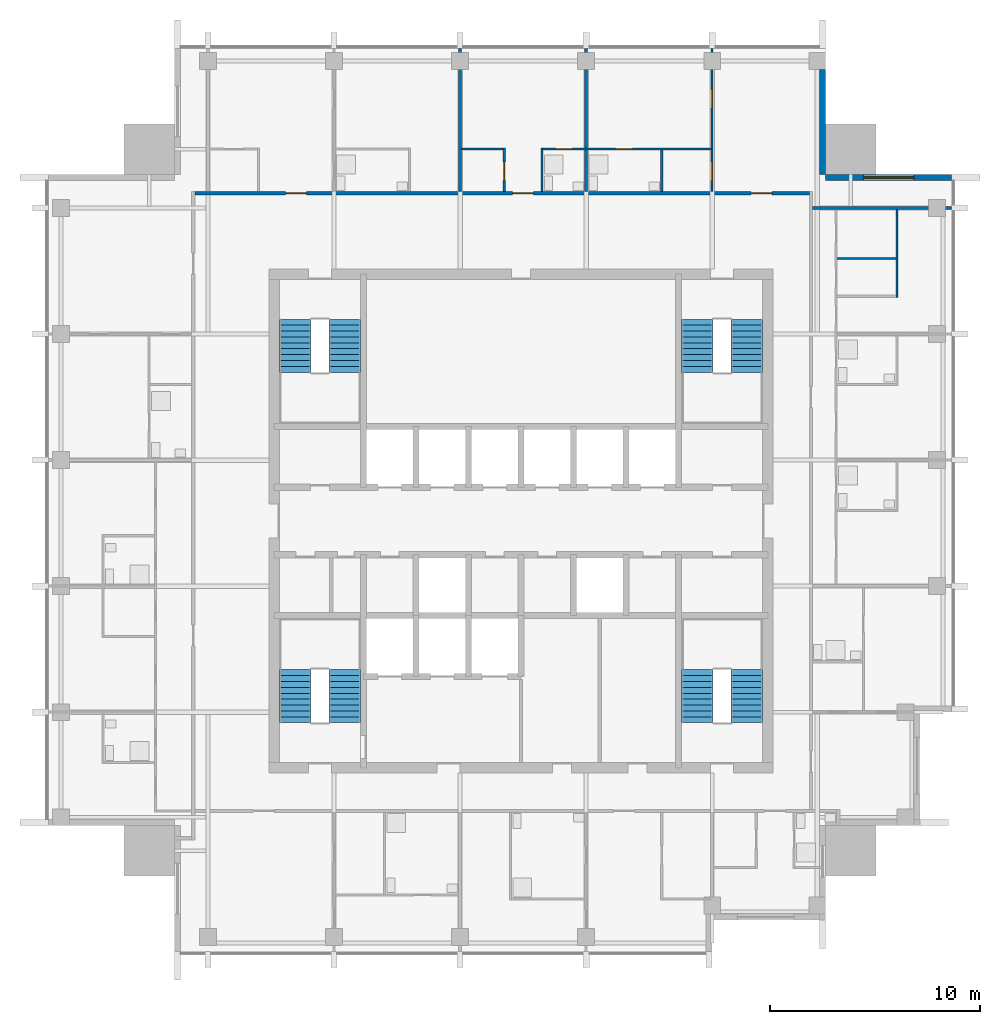
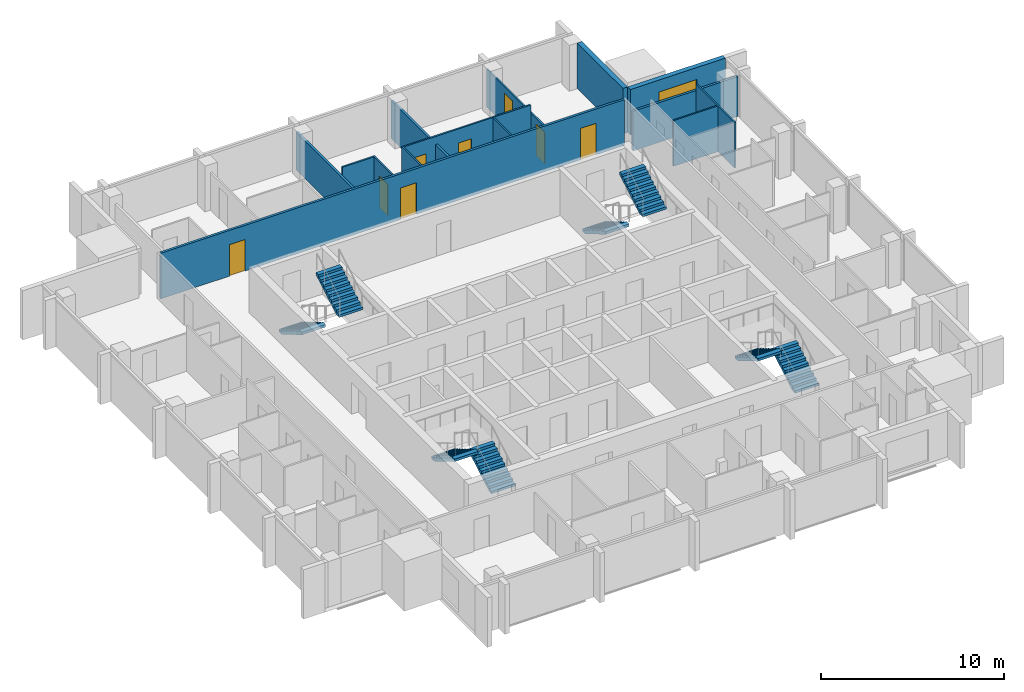
# One storey, part 7 of 9: 14 walls, 8 doors, 8 stair flights, 1 window, 9 openings, 4 elements without a shape of their own.
"""IFC4 building model written with IfcOpenShell, lengths in metres."""

from ifc_helpers import new_model, si_unit, direction, frame, frame_2d, origin, place, context, subcontext, project, spatial, polyline, rectangle, outline, extrude, material, layer, layer_set, type_object, element, fill, aggregate, save


model = new_model("IFC4")

# Units and contexts
model_context = context("Model", 3, precision=1e-05, world=origin(), true_north=direction((0.0, 1.0)))
body_context = subcontext(model_context, "Body", "Model", "MODEL_VIEW")
ifc_project = project(units=[si_unit("LENGTHUNIT", "METRE"), si_unit("AREAUNIT", "SQUARE_METRE"), si_unit("VOLUMEUNIT", "CUBIC_METRE"), si_unit("PLANEANGLEUNIT", "RADIAN"), si_unit("MASSUNIT", "GRAM", prefix="KILO")], contexts=[model_context])

# Site, building, storey
site_placement = place(None, origin())
site = spatial("IfcSite", under=ifc_project, at=site_placement, CompositionType="ELEMENT")
building_placement = place(site_placement, origin())
building = spatial("IfcBuilding", under=site, at=building_placement, Name="Amberfall Residences", CompositionType="ELEMENT")
storey_placement = place(building_placement, frame((0.0, 0.0, 262.0)))
storey = spatial("IfcBuildingStorey", under=building, at=storey_placement, Name="L70", CompositionType="ELEMENT", Elevation=262.0)

# Wall, opening, window
ifc_material_1 = material(Name="Pale stone cladding on insulated backing", Category="masonry")
ifc_layer_1 = layer(ifc_material_1, 0.300048828125)
ifc_layer_set_1 = layer_set([ifc_layer_1], Name="Bronze clad wall 300")
wall_type_1 = type_object("IfcWallType", Name="Bronze clad wall 300", PredefinedType="SOLIDWALL", material=ifc_layer_set_1)
wall_1_placement = place(storey_placement, frame((95.0, 61.85009765625, 0.0), z_axis=(0.0, 0.0, 1.0), x_axis=(-1.0, 0.0, 0.0)))
wall_1 = element("IfcWall", 1, at=wall_1_placement, inside=storey, type_object=wall_type_1, Name="External wall L70 NE", PredefinedType="SOLIDWALL", context=body_context, shape_type="SweptSolid", body=[
    extrude(rectangle(XDim=6.0, YDim=0.300048828125, at=frame_2d((3.0, 0.0))), origin(), (0.0, 0.0, 1.0), 3.050048828125),
])
opening_1_placement = place(wall_1_placement, frame((1.800048828125, 0.0, 0.14990234375)))
opening_1 = element("IfcOpeningElement", 2, at=opening_1_placement, cuts=wall_1, Name="Opening WN5", PredefinedType="OPENING", context=body_context, shape_type="SweptSolid", body=[
    extrude(rectangle(XDim=2.39990234375, YDim=2.10009765625, at=frame_2d((1.199951171875, 1.050048828125))), frame((0.0, 0.159912109375, 0.0), z_axis=(0.0, -1.0, 0.0), x_axis=(1.0, 0.0, 0.0)), (0.0, 0.0, 1.0), 0.320068359375),
])
ifc_material_2 = material(Name="Bronze aluminium framed glazing", Category="aluminium")
window_type = type_object("IfcWindowType", Name="Glazed opening 2400 x 2100 bronze", PartitioningType="DOUBLE_PANEL_VERTICAL", PredefinedType="WINDOW", material=ifc_material_2)
window_placement = place(opening_1_placement, origin())
window = element("IfcWindow", 3, at=window_placement, inside=storey, type_object=window_type, Name="Window L70 NE", OverallHeight=2.10009765625, OverallWidth=2.39990234375, PartitioningType="DOUBLE_PANEL_VERTICAL", PredefinedType="WINDOW", context=body_context, shape_type="SweptSolid", body=[
    extrude(rectangle(XDim=2.39990234375, YDim=2.10009765625, at=frame_2d((1.199951171875, 1.050048828125))), frame((0.0, 0.030029296875, 0.0), z_axis=(0.0, -1.0, 0.0), x_axis=(1.0, 0.0, 0.0)), (0.0, 0.0, 1.0), 0.06005859375),
])
fill(opening_1, window)

# Wall
wall_2_placement = place(storey_placement, frame((88.85009765625, 62.0, 0.0), z_axis=(0.0, 0.0, 1.0), x_axis=(0.0, 1.0, 0.0)))
element("IfcWall", 4, at=wall_2_placement, inside=storey, type_object=wall_type_1, Name="External wall L70 NE", PredefinedType="SOLIDWALL", context=body_context, shape_type="SweptSolid", body=[
    extrude(rectangle(XDim=5.0, YDim=0.300048828125, at=frame_2d((2.5, 0.0))), origin(), (0.0, 0.0, 1.0), 3.050048828125),
])

# Wall, opening, door
ifc_material_3 = material(Name="Gypsum board on metal stud")
ifc_layer_2 = layer(ifc_material_3, 0.10009765625)
ifc_layer_set_2 = layer_set([ifc_layer_2], Name="Flat partition 100")
wall_type_2 = type_object("IfcWallType", Name="Flat partition 100", PredefinedType="PARTITIONING", material=ifc_layer_set_2)
wall_3_placement = place(storey_placement, frame((73.699951171875, 61.175048828125, 0.0), z_axis=(0.0, 0.0, 1.0), x_axis=(0.0, 1.0, 0.0)))
wall_3 = element("IfcWall", 5, at=wall_3_placement, inside=storey, type_object=wall_type_2, Name="Partition 010", PredefinedType="PARTITIONING", context=body_context, shape_type="SweptSolid", body=[
    extrude(rectangle(XDim=2.074951171875, YDim=0.10009765625, at=frame_2d((1.03759765625, 0.0))), origin(), (0.0, 0.0, 1.0), 3.050048828125),
])
opening_2_placement = place(wall_3_placement, frame((0.52490234375, 0.0, 0.0)))
opening_2 = element("IfcOpeningElement", 6, at=opening_2_placement, cuts=wall_3, Name="Opening D41", PredefinedType="OPENING", context=body_context, shape_type="SweptSolid", body=[
    extrude(rectangle(XDim=0.89990234375, YDim=2.10009765625, at=frame_2d((0.449951171875, 1.050048828125))), frame((0.0, 0.06005859375, 0.0), z_axis=(0.0, -1.0, 0.0), x_axis=(1.0, 0.0, 0.0)), (0.0, 0.0, 1.0), 0.1201171875),
])
ifc_material_4 = material(Name="Timber", Category="wood")
door_type_1 = type_object("IfcDoorType", Name="Internal door 900 x 2100", OperationType="SINGLE_SWING_LEFT", PredefinedType="DOOR", material=ifc_material_4)
door_1_placement = place(opening_2_placement, origin())
door_1 = element("IfcDoor", 7, at=door_1_placement, inside=storey, type_object=door_type_1, Name="Door 7007 kitchen", OperationType="SINGLE_SWING_LEFT", OverallHeight=2.10009765625, OverallWidth=0.89990234375, PredefinedType="DOOR", context=body_context, shape_type="SweptSolid", body=[
    extrude(rectangle(XDim=0.89990234375, YDim=2.10009765625, at=frame_2d((0.449951171875, 1.050048828125))), frame((0.0, 0.02490234375, 0.0), z_axis=(0.0, -1.0, 0.0), x_axis=(1.0, 0.0, 0.0)), (0.0, 0.0, 1.0), 0.050048828125),
])
fill(opening_2, door_1)

# Walls
wall_4_placement = place(storey_placement, frame((75.5, 61.175048828125, 0.0), z_axis=(0.0, 0.0, 1.0), x_axis=(0.0, 1.0, 0.0)))
element("IfcWall", 8, at=wall_4_placement, inside=storey, type_object=wall_type_2, Name="Partition 012", PredefinedType="PARTITIONING", context=body_context, shape_type="SweptSolid", body=[
    extrude(rectangle(XDim=2.074951171875, YDim=0.10009765625, at=frame_2d((1.03759765625, 0.0))), origin(), (0.0, 0.0, 1.0), 3.050048828125),
])
wall_5_placement = place(storey_placement, frame((81.199951171875, 61.175048828125, 0.0), z_axis=(0.0, 0.0, 1.0), x_axis=(0.0, 1.0, 0.0)))
element("IfcWall", 9, at=wall_5_placement, inside=storey, type_object=wall_type_2, Name="Partition 015", PredefinedType="PARTITIONING", context=body_context, shape_type="SweptSolid", body=[
    extrude(rectangle(XDim=1.974853515625, YDim=0.10009765625, at=frame_2d((0.9873046875, 0.0))), origin(), (0.0, 0.0, 1.0), 3.050048828125),
])

# Wall, openings, doors
wall_6_placement = place(storey_placement, frame((83.60009765625, 61.175048828125, 0.0), z_axis=(0.0, 0.0, 1.0), x_axis=(0.0, 1.0, 0.0)))
wall_6 = element("IfcWall", 10, at=wall_6_placement, inside=storey, type_object=wall_type_2, Name="Partition 016", PredefinedType="PARTITIONING", context=body_context, shape_type="SweptSolid", body=[
    extrude(rectangle(XDim=6.824951171875, YDim=0.10009765625, at=frame_2d((3.41259765625, 0.0))), origin(), (0.0, 0.0, 1.0), 2.51611328125),
])
opening_3_placement = place(wall_6_placement, frame((0.52490234375, 0.0, 0.0)))
opening_3 = element("IfcOpeningElement", 11, at=opening_3_placement, cuts=wall_6, Name="Opening D41", PredefinedType="OPENING", context=body_context, shape_type="SweptSolid", body=[
    extrude(rectangle(XDim=0.89990234375, YDim=2.10009765625, at=frame_2d((0.449951171875, 1.050048828125))), frame((0.0, 0.06005859375, 0.0), z_axis=(0.0, -1.0, 0.0), x_axis=(1.0, 0.0, 0.0)), (0.0, 0.0, 1.0), 0.1201171875),
])
opening_4_placement = place(wall_6_placement, frame((3.97509765625, 0.0, 0.0)))
opening_4 = element("IfcOpeningElement", 12, at=opening_4_placement, cuts=wall_6, Name="Opening D41", PredefinedType="OPENING", context=body_context, shape_type="SweptSolid", body=[
    extrude(rectangle(XDim=0.89990234375, YDim=2.10009765625, at=frame_2d((0.449951171875, 1.050048828125))), frame((0.0, 0.06005859375, 0.0), z_axis=(0.0, -1.0, 0.0), x_axis=(1.0, 0.0, 0.0)), (0.0, 0.0, 1.0), 0.1201171875),
])
door_2_placement = place(opening_3_placement, origin())
door_2 = element("IfcDoor", 13, at=door_2_placement, inside=storey, type_object=door_type_1, Name="Door 7008 kitchen", OperationType="SINGLE_SWING_LEFT", OverallHeight=2.10009765625, OverallWidth=0.89990234375, PredefinedType="DOOR", context=body_context, shape_type="SweptSolid", body=[
    extrude(rectangle(XDim=0.89990234375, YDim=2.10009765625, at=frame_2d((0.449951171875, 1.050048828125))), frame((0.0, 0.02490234375, 0.0), z_axis=(0.0, -1.0, 0.0), x_axis=(1.0, 0.0, 0.0)), (0.0, 0.0, 1.0), 0.050048828125),
])
fill(opening_3, door_2)
door_3_placement = place(opening_4_placement, origin())
door_3 = element("IfcDoor", 14, at=door_3_placement, inside=storey, type_object=door_type_1, Name="Door 7008 bedroom1", OperationType="SINGLE_SWING_LEFT", OverallHeight=2.10009765625, OverallWidth=0.89990234375, PredefinedType="DOOR", context=body_context, shape_type="SweptSolid", body=[
    extrude(rectangle(XDim=0.89990234375, YDim=2.10009765625, at=frame_2d((0.449951171875, 1.050048828125))), frame((0.0, 0.02490234375, 0.0), z_axis=(0.0, -1.0, 0.0), x_axis=(1.0, 0.0, 0.0)), (0.0, 0.0, 1.0), 0.050048828125),
])
fill(opening_4, door_3)

# Walls
wall_7_placement = place(storey_placement, frame((92.39990234375, 56.14990234375, 0.0), z_axis=(0.0, 0.0, 1.0), x_axis=(0.0, 1.0, 0.0)))
element("IfcWall", 15, at=wall_7_placement, inside=storey, type_object=wall_type_2, Name="Partition 023", PredefinedType="PARTITIONING", context=body_context, shape_type="SweptSolid", body=[
    extrude(rectangle(XDim=4.175048828125, YDim=0.10009765625, at=frame_2d((2.08740234375, 0.0))), origin(), (0.0, 0.0, 1.0), 3.050048828125),
])
wall_8_placement = place(storey_placement, frame((71.675048828125, 63.199951171875, 0.0), z_axis=(0.0, 0.0, 1.0), x_axis=(1.0, 0.0, 0.0)))
element("IfcWall", 16, at=wall_8_placement, inside=storey, type_object=wall_type_2, Name="Partition 026", PredefinedType="PARTITIONING", context=body_context, shape_type="SweptSolid", body=[
    extrude(rectangle(XDim=1.974853515625, YDim=0.10009765625, at=frame_2d((0.9873046875, 0.0))), origin(), (0.0, 0.0, 1.0), 3.050048828125),
])

# Wall, openings, doors
wall_9_placement = place(storey_placement, frame((83.550048828125, 63.199951171875, 0.0), z_axis=(0.0, 0.0, 1.0), x_axis=(-1.0, 0.0, 0.0)))
wall_9 = element("IfcWall", 17, at=wall_9_placement, inside=storey, type_object=wall_type_2, Name="Partition 027", PredefinedType="PARTITIONING", context=body_context, shape_type="SweptSolid", body=[
    extrude(rectangle(XDim=8.0, YDim=0.10009765625, at=frame_2d((4.0, 0.0))), origin(), (0.0, 0.0, 1.0), 3.050048828125),
])
opening_5_placement = place(wall_9_placement, frame((6.60009765625, 0.0, 0.0)))
opening_5 = element("IfcOpeningElement", 18, at=opening_5_placement, cuts=wall_9, Name="Opening D42", PredefinedType="OPENING", context=body_context, shape_type="SweptSolid", body=[
    extrude(rectangle(XDim=0.800048828125, YDim=2.10009765625, at=frame_2d((0.39990234375, 1.050048828125))), frame((0.0, 0.06005859375, 0.0), z_axis=(0.0, -1.0, 0.0), x_axis=(1.0, 0.0, 0.0)), (0.0, 0.0, 1.0), 0.1201171875),
])
opening_6_placement = place(wall_9_placement, frame((3.75, 0.0, 0.0)))
opening_6 = element("IfcOpeningElement", 19, at=opening_6_placement, cuts=wall_9, Name="Opening D42", PredefinedType="OPENING", context=body_context, shape_type="SweptSolid", body=[
    extrude(rectangle(XDim=0.800048828125, YDim=2.10009765625, at=frame_2d((0.39990234375, 1.050048828125))), frame((0.0, 0.06005859375, 0.0), z_axis=(0.0, -1.0, 0.0), x_axis=(1.0, 0.0, 0.0)), (0.0, 0.0, 1.0), 0.1201171875),
])
door_type_2 = type_object("IfcDoorType", Name="Bathroom door 800 x 2100", OperationType="SINGLE_SWING_LEFT", PredefinedType="DOOR", material=ifc_material_4)
door_4_placement = place(opening_5_placement, origin())
door_4 = element("IfcDoor", 20, at=door_4_placement, inside=storey, type_object=door_type_2, Name="Door 7007 bath1", OperationType="SINGLE_SWING_LEFT", OverallHeight=2.10009765625, OverallWidth=0.800048828125, PredefinedType="DOOR", context=body_context, shape_type="SweptSolid", body=[
    extrude(rectangle(XDim=0.800048828125, YDim=2.10009765625, at=frame_2d((0.39990234375, 1.050048828125))), frame((0.0, 0.02490234375, 0.0), z_axis=(0.0, -1.0, 0.0), x_axis=(1.0, 0.0, 0.0)), (0.0, 0.0, 1.0), 0.050048828125),
])
fill(opening_5, door_4)
door_5_placement = place(opening_6_placement, origin())
door_5 = element("IfcDoor", 21, at=door_5_placement, inside=storey, type_object=door_type_2, Name="Door 7008 bath1", OperationType="SINGLE_SWING_LEFT", OverallHeight=2.10009765625, OverallWidth=0.800048828125, PredefinedType="DOOR", context=body_context, shape_type="SweptSolid", body=[
    extrude(rectangle(XDim=0.800048828125, YDim=2.10009765625, at=frame_2d((0.39990234375, 1.050048828125))), frame((0.0, 0.02490234375, 0.0), z_axis=(0.0, -1.0, 0.0), x_axis=(1.0, 0.0, 0.0)), (0.0, 0.0, 1.0), 0.050048828125),
])
fill(opening_6, door_5)

# Walls
wall_10_placement = place(storey_placement, frame((89.550048828125, 58.0, 0.0), z_axis=(0.0, 0.0, 1.0), x_axis=(1.0, 0.0, 0.0)))
element("IfcWall", 22, at=wall_10_placement, inside=storey, type_object=wall_type_2, Name="Partition 028", PredefinedType="PARTITIONING", context=body_context, shape_type="SweptSolid", body=[
    extrude(rectangle(XDim=2.800048828125, YDim=0.10009765625, at=frame_2d((1.39990234375, 0.0))), origin(), (0.0, 0.0, 1.0), 3.050048828125),
])
ifc_material_5 = material(Name="Blockwork, plastered", Category="masonry")
ifc_layer_3 = layer(ifc_material_5, 0.14990234375)
ifc_layer_set_3 = layer_set([ifc_layer_3], Name="Flat separating wall 150")
wall_type_3 = type_object("IfcWallType", Name="Flat separating wall 150", PredefinedType="PARTITIONING", material=ifc_layer_set_3)
for number, where, z_axis, x_axis, name in (
    (23, (71.60009765625, 61.175048828125, 0.0), (0.0, 0.0, 1.0), (0.0, 1.0, 0.0), "Separating wall 052"),
    (24, (77.60009765625, 61.175048828125, 0.0), (0.0, 0.0, 1.0), (0.0, 1.0, 0.0), "Separating wall 053"),
):
    element("IfcWall", number, at=place(storey_placement, frame(where, z_axis=z_axis, x_axis=x_axis)), inside=storey, type_object=wall_type_3, Name=name, PredefinedType="PARTITIONING", context=body_context, shape_type="SweptSolid", body=[
        extrude(rectangle(XDim=6.824951171875, YDim=0.14990234375, at=frame_2d((3.41259765625, 0.0))), origin(), (0.0, 0.0, 1.0), 2.51611328125),
    ])

# Wall, openings, doors
wall_11_placement = place(storey_placement, frame((58.97509765625, 61.10009765625, 0.0), z_axis=(0.0, 0.0, 1.0), x_axis=(1.0, 0.0, 0.0)))
wall_11 = element("IfcWall", 25, at=wall_11_placement, inside=storey, type_object=wall_type_3, Name="Separating wall 057", PredefinedType="PARTITIONING", context=body_context, shape_type="SweptSolid", body=[
    extrude(rectangle(XDim=29.25, YDim=0.14990234375, at=frame_2d((14.625, 0.0))), origin(), (0.0, 0.0, 1.0), 3.050048828125),
])
opening_7_placement = place(wall_11_placement, frame((4.324951171875, 0.0, 0.0)))
opening_7 = element("IfcOpeningElement", 26, at=opening_7_placement, cuts=wall_11, Name="Opening D40", PredefinedType="OPENING", context=body_context, shape_type="SweptSolid", body=[
    extrude(rectangle(XDim=1.0, YDim=2.10009765625, at=frame_2d((0.5, 1.050048828125))), frame((0.0, 0.0849609375, 0.0), z_axis=(0.0, -1.0, 0.0), x_axis=(1.0, 0.0, 0.0)), (0.0, 0.0, 1.0), 0.169921875),
])
opening_8_placement = place(wall_11_placement, frame((15.125, 0.0, 0.0)))
opening_8 = element("IfcOpeningElement", 27, at=opening_8_placement, cuts=wall_11, Name="Opening D40", PredefinedType="OPENING", context=body_context, shape_type="SweptSolid", body=[
    extrude(rectangle(XDim=1.0, YDim=2.10009765625, at=frame_2d((0.5, 1.050048828125))), frame((0.0, 0.0849609375, 0.0), z_axis=(0.0, -1.0, 0.0), x_axis=(1.0, 0.0, 0.0)), (0.0, 0.0, 1.0), 0.169921875),
])
opening_9_placement = place(wall_11_placement, frame((26.47509765625, 0.0, 0.0)))
opening_9 = element("IfcOpeningElement", 28, at=opening_9_placement, cuts=wall_11, Name="Opening D40", PredefinedType="OPENING", context=body_context, shape_type="SweptSolid", body=[
    extrude(rectangle(XDim=1.0, YDim=2.10009765625, at=frame_2d((0.5, 1.050048828125))), frame((0.0, 0.0849609375, 0.0), z_axis=(0.0, -1.0, 0.0), x_axis=(1.0, 0.0, 0.0)), (0.0, 0.0, 1.0), 0.169921875),
])
ifc_material_6 = material(Name="Timber, fire-rated", Category="wood")
door_type_3 = type_object("IfcDoorType", Name="Flat entrance door FD60 1000 x 2100", OperationType="SINGLE_SWING_LEFT", PredefinedType="DOOR", material=ifc_material_6)
door_6_placement = place(opening_7_placement, origin())
door_6 = element("IfcDoor", 29, at=door_6_placement, inside=storey, type_object=door_type_3, Name="Door 7006 entrance", OperationType="SINGLE_SWING_LEFT", OverallHeight=2.10009765625, OverallWidth=1.0, PredefinedType="DOOR", context=body_context, shape_type="SweptSolid", body=[
    extrude(rectangle(XDim=1.0, YDim=2.10009765625, at=frame_2d((0.5, 1.050048828125))), frame((0.0, 0.02490234375, 0.0), z_axis=(0.0, -1.0, 0.0), x_axis=(1.0, 0.0, 0.0)), (0.0, 0.0, 1.0), 0.050048828125),
])
fill(opening_7, door_6)
door_7_placement = place(opening_8_placement, origin())
door_7 = element("IfcDoor", 30, at=door_7_placement, inside=storey, type_object=door_type_3, Name="Door 7007 entrance", OperationType="SINGLE_SWING_LEFT", OverallHeight=2.10009765625, OverallWidth=1.0, PredefinedType="DOOR", context=body_context, shape_type="SweptSolid", body=[
    extrude(rectangle(XDim=1.0, YDim=2.10009765625, at=frame_2d((0.5, 1.050048828125))), frame((0.0, 0.02490234375, 0.0), z_axis=(0.0, -1.0, 0.0), x_axis=(1.0, 0.0, 0.0)), (0.0, 0.0, 1.0), 0.050048828125),
])
fill(opening_8, door_7)
door_8_placement = place(opening_9_placement, origin())
door_8 = element("IfcDoor", 31, at=door_8_placement, inside=storey, type_object=door_type_3, Name="Door 7008 entrance", OperationType="SINGLE_SWING_LEFT", OverallHeight=2.10009765625, OverallWidth=1.0, PredefinedType="DOOR", context=body_context, shape_type="SweptSolid", body=[
    extrude(rectangle(XDim=1.0, YDim=2.10009765625, at=frame_2d((0.5, 1.050048828125))), frame((0.0, 0.02490234375, 0.0), z_axis=(0.0, -1.0, 0.0), x_axis=(1.0, 0.0, 0.0)), (0.0, 0.0, 1.0), 0.050048828125),
])
fill(opening_9, door_8)

# Wall
wall_12_placement = place(storey_placement, frame((88.375, 60.39990234375, 0.0), z_axis=(0.0, 0.0, 1.0), x_axis=(1.0, 0.0, 0.0)))
element("IfcWall", 32, at=wall_12_placement, inside=storey, type_object=wall_type_3, Name="Separating wall 058", PredefinedType="PARTITIONING", context=body_context, shape_type="SweptSolid", body=[
    extrude(rectangle(XDim=6.625, YDim=0.14990234375, at=frame_2d((3.3125, 0.0))), origin(), (0.0, 0.0, 1.0), 2.64697265625),
])

# Stair, stair flights
ifc_material_7 = material(Name="Concrete C40", Category="concrete")
stair_type = type_object("IfcStairType", Name="Exit stair 20 risers 165.0 mm", PredefinedType="HALF_TURN_STAIR", material=ifc_material_7)
stair_1_placement = place(storey_placement, origin())
stair_1 = element("IfcStair", 33, at=stair_1_placement, inside=storey, type_object=stair_type, Name="L70 Exit stair 1", PredefinedType="HALF_TURN_STAIR")
stair_flight_type = type_object("IfcStairFlightType", Name="Stair flight 10 risers 165.0 mm", PredefinedType="STRAIGHT", material=ifc_material_7)
stair_flight_1_placement = place(storey_placement, frame((66.10009765625, 35.89990234375, 0.0), z_axis=(0.0, 0.0, 1.0), x_axis=(0.0, 1.0, 0.0)))
stair_flight_1 = element("IfcStairFlight", 34, at=stair_flight_1_placement, type_object=stair_flight_type, Name="ST3 flight 1", NumberOfRisers=10, NumberOfTreads=9, PredefinedType="STRAIGHT", RiserHeight=0.165, TreadLength=0.28, context=body_context, shape_type="SweptSolid", body=[
    extrude(outline(polyline([(0.0, 0.0), (0.0, 0.1650390625), (0.280029296875, 0.1650390625), (0.280029296875, 0.330078125), (0.56005859375, 0.330078125), (0.56005859375, 0.4951171875), (0.840087890625, 0.4951171875), (0.840087890625, 0.659912109375), (1.1201171875, 0.659912109375), (1.1201171875, 0.824951171875), (1.39990234375, 0.824951171875), (1.39990234375, 0.989990234375), (1.679931640625, 0.989990234375), (1.679931640625, 1.155029296875), (1.9599609375, 1.155029296875), (1.9599609375, 1.320068359375), (2.239990234375, 1.320068359375), (2.239990234375, 1.485107421875), (2.52001953125, 1.485107421875), (2.52001953125, 1.64990234375), (2.52001953125, 1.31103515625), (0.295166015625, 0.0), (0.0, 0.0)])), frame((0.0, 0.75, 0.0), z_axis=(0.0, -1.0, 0.0), x_axis=(1.0, 0.0, 0.0)), (0.0, 0.0, 1.0), 1.5),
])
stair_flight_2_placement = place(storey_placement, frame((63.75, 38.419921875, 1.64990234375), z_axis=(0.0, 0.0, 1.0), x_axis=(0.0, -1.0, 0.0)))
stair_flight_2 = element("IfcStairFlight", 35, at=stair_flight_2_placement, type_object=stair_flight_type, Name="ST3 flight 2", NumberOfRisers=10, NumberOfTreads=9, PredefinedType="STRAIGHT", RiserHeight=0.165, TreadLength=0.28, context=body_context, shape_type="SweptSolid", body=[
    extrude(outline(polyline([(0.0, 0.0), (0.0, 0.1650390625), (0.280029296875, 0.1650390625), (0.280029296875, 0.330078125), (0.56005859375, 0.330078125), (0.56005859375, 0.4951171875), (0.840087890625, 0.4951171875), (0.840087890625, 0.659912109375), (1.1201171875, 0.659912109375), (1.1201171875, 0.824951171875), (1.39990234375, 0.824951171875), (1.39990234375, 0.989990234375), (1.679931640625, 0.989990234375), (1.679931640625, 1.155029296875), (1.9599609375, 1.155029296875), (1.9599609375, 1.320068359375), (2.239990234375, 1.320068359375), (2.239990234375, 1.485107421875), (2.52001953125, 1.485107421875), (2.52001953125, 1.64990234375), (2.52001953125, 1.31103515625), (0.295166015625, 0.0), (0.0, 0.0)])), frame((0.0, 0.75, 0.0), z_axis=(0.0, -1.0, 0.0), x_axis=(1.0, 0.0, 0.0)), (0.0, 0.0, 1.0), 1.5),
])
aggregate(stair_1, [stair_flight_1, stair_flight_2])

stair_2_placement = place(storey_placement, origin())
stair_2 = element("IfcStair", 36, at=stair_2_placement, inside=storey, type_object=stair_type, Name="L70 Exit stair 2", PredefinedType="HALF_TURN_STAIR")
stair_flight_3_placement = place(storey_placement, frame((85.25, 35.89990234375, 0.0), z_axis=(0.0, 0.0, 1.0), x_axis=(0.0, 1.0, 0.0)))
stair_flight_3 = element("IfcStairFlight", 37, at=stair_flight_3_placement, type_object=stair_flight_type, Name="ST3 flight 1", NumberOfRisers=10, NumberOfTreads=9, PredefinedType="STRAIGHT", RiserHeight=0.165, TreadLength=0.28, context=body_context, shape_type="SweptSolid", body=[
    extrude(outline(polyline([(0.0, 0.0), (0.0, 0.1650390625), (0.280029296875, 0.1650390625), (0.280029296875, 0.330078125), (0.56005859375, 0.330078125), (0.56005859375, 0.4951171875), (0.840087890625, 0.4951171875), (0.840087890625, 0.659912109375), (1.1201171875, 0.659912109375), (1.1201171875, 0.824951171875), (1.39990234375, 0.824951171875), (1.39990234375, 0.989990234375), (1.679931640625, 0.989990234375), (1.679931640625, 1.155029296875), (1.9599609375, 1.155029296875), (1.9599609375, 1.320068359375), (2.239990234375, 1.320068359375), (2.239990234375, 1.485107421875), (2.52001953125, 1.485107421875), (2.52001953125, 1.64990234375), (2.52001953125, 1.31103515625), (0.295166015625, 0.0), (0.0, 0.0)])), frame((0.0, 0.75, 0.0), z_axis=(0.0, -1.0, 0.0), x_axis=(1.0, 0.0, 0.0)), (0.0, 0.0, 1.0), 1.5),
])
stair_flight_4_placement = place(storey_placement, frame((82.89990234375, 38.419921875, 1.64990234375), z_axis=(0.0, 0.0, 1.0), x_axis=(0.0, -1.0, 0.0)))
stair_flight_4 = element("IfcStairFlight", 38, at=stair_flight_4_placement, type_object=stair_flight_type, Name="ST3 flight 2", NumberOfRisers=10, NumberOfTreads=9, PredefinedType="STRAIGHT", RiserHeight=0.165, TreadLength=0.28, context=body_context, shape_type="SweptSolid", body=[
    extrude(outline(polyline([(0.0, 0.0), (0.0, 0.1650390625), (0.280029296875, 0.1650390625), (0.280029296875, 0.330078125), (0.56005859375, 0.330078125), (0.56005859375, 0.4951171875), (0.840087890625, 0.4951171875), (0.840087890625, 0.659912109375), (1.1201171875, 0.659912109375), (1.1201171875, 0.824951171875), (1.39990234375, 0.824951171875), (1.39990234375, 0.989990234375), (1.679931640625, 0.989990234375), (1.679931640625, 1.155029296875), (1.9599609375, 1.155029296875), (1.9599609375, 1.320068359375), (2.239990234375, 1.320068359375), (2.239990234375, 1.485107421875), (2.52001953125, 1.485107421875), (2.52001953125, 1.64990234375), (2.52001953125, 1.31103515625), (0.295166015625, 0.0), (0.0, 0.0)])), frame((0.0, 0.75, 0.0), z_axis=(0.0, -1.0, 0.0), x_axis=(1.0, 0.0, 0.0)), (0.0, 0.0, 1.0), 1.5),
])
aggregate(stair_2, [stair_flight_3, stair_flight_4])

stair_3_placement = place(storey_placement, origin())
stair_3 = element("IfcStair", 39, at=stair_3_placement, inside=storey, type_object=stair_type, Name="L70 Exit stair 3", PredefinedType="HALF_TURN_STAIR")
stair_flight_5_placement = place(storey_placement, frame((82.89990234375, 55.10009765625, 0.0), z_axis=(0.0, 0.0, 1.0), x_axis=(0.0, -1.0, 0.0)))
stair_flight_5 = element("IfcStairFlight", 40, at=stair_flight_5_placement, type_object=stair_flight_type, Name="ST3 flight 1", NumberOfRisers=10, NumberOfTreads=9, PredefinedType="STRAIGHT", RiserHeight=0.165, TreadLength=0.28, context=body_context, shape_type="SweptSolid", body=[
    extrude(outline(polyline([(0.0, 0.0), (0.0, 0.1650390625), (0.280029296875, 0.1650390625), (0.280029296875, 0.330078125), (0.56005859375, 0.330078125), (0.56005859375, 0.4951171875), (0.840087890625, 0.4951171875), (0.840087890625, 0.659912109375), (1.1201171875, 0.659912109375), (1.1201171875, 0.824951171875), (1.39990234375, 0.824951171875), (1.39990234375, 0.989990234375), (1.679931640625, 0.989990234375), (1.679931640625, 1.155029296875), (1.9599609375, 1.155029296875), (1.9599609375, 1.320068359375), (2.239990234375, 1.320068359375), (2.239990234375, 1.485107421875), (2.52001953125, 1.485107421875), (2.52001953125, 1.64990234375), (2.52001953125, 1.31103515625), (0.295166015625, 0.0), (0.0, 0.0)])), frame((0.0, 0.75, 0.0), z_axis=(0.0, -1.0, 0.0), x_axis=(1.0, 0.0, 0.0)), (0.0, 0.0, 1.0), 1.5),
])
stair_flight_6_placement = place(storey_placement, frame((85.25, 52.580078125, 1.64990234375), z_axis=(0.0, 0.0, 1.0), x_axis=(0.0, 1.0, 0.0)))
stair_flight_6 = element("IfcStairFlight", 41, at=stair_flight_6_placement, type_object=stair_flight_type, Name="ST3 flight 2", NumberOfRisers=10, NumberOfTreads=9, PredefinedType="STRAIGHT", RiserHeight=0.165, TreadLength=0.28, context=body_context, shape_type="SweptSolid", body=[
    extrude(outline(polyline([(0.0, 0.0), (0.0, 0.1650390625), (0.280029296875, 0.1650390625), (0.280029296875, 0.330078125), (0.56005859375, 0.330078125), (0.56005859375, 0.4951171875), (0.840087890625, 0.4951171875), (0.840087890625, 0.659912109375), (1.1201171875, 0.659912109375), (1.1201171875, 0.824951171875), (1.39990234375, 0.824951171875), (1.39990234375, 0.989990234375), (1.679931640625, 0.989990234375), (1.679931640625, 1.155029296875), (1.9599609375, 1.155029296875), (1.9599609375, 1.320068359375), (2.239990234375, 1.320068359375), (2.239990234375, 1.485107421875), (2.52001953125, 1.485107421875), (2.52001953125, 1.64990234375), (2.52001953125, 1.31103515625), (0.295166015625, 0.0), (0.0, 0.0)])), frame((0.0, 0.75, 0.0), z_axis=(0.0, -1.0, 0.0), x_axis=(1.0, 0.0, 0.0)), (0.0, 0.0, 1.0), 1.5),
])
aggregate(stair_3, [stair_flight_5, stair_flight_6])

stair_4_placement = place(storey_placement, origin())
stair_4 = element("IfcStair", 42, at=stair_4_placement, inside=storey, type_object=stair_type, Name="L70 Exit stair 4", PredefinedType="HALF_TURN_STAIR")
stair_flight_7_placement = place(storey_placement, frame((63.75, 55.10009765625, 0.0), z_axis=(0.0, 0.0, 1.0), x_axis=(0.0, -1.0, 0.0)))
stair_flight_7 = element("IfcStairFlight", 43, at=stair_flight_7_placement, type_object=stair_flight_type, Name="ST3 flight 1", NumberOfRisers=10, NumberOfTreads=9, PredefinedType="STRAIGHT", RiserHeight=0.165, TreadLength=0.28, context=body_context, shape_type="SweptSolid", body=[
    extrude(outline(polyline([(0.0, 0.0), (0.0, 0.1650390625), (0.280029296875, 0.1650390625), (0.280029296875, 0.330078125), (0.56005859375, 0.330078125), (0.56005859375, 0.4951171875), (0.840087890625, 0.4951171875), (0.840087890625, 0.659912109375), (1.1201171875, 0.659912109375), (1.1201171875, 0.824951171875), (1.39990234375, 0.824951171875), (1.39990234375, 0.989990234375), (1.679931640625, 0.989990234375), (1.679931640625, 1.155029296875), (1.9599609375, 1.155029296875), (1.9599609375, 1.320068359375), (2.239990234375, 1.320068359375), (2.239990234375, 1.485107421875), (2.52001953125, 1.485107421875), (2.52001953125, 1.64990234375), (2.52001953125, 1.31103515625), (0.295166015625, 0.0), (0.0, 0.0)])), frame((0.0, 0.75, 0.0), z_axis=(0.0, -1.0, 0.0), x_axis=(1.0, 0.0, 0.0)), (0.0, 0.0, 1.0), 1.5),
])
stair_flight_8_placement = place(storey_placement, frame((66.10009765625, 52.580078125, 1.64990234375), z_axis=(0.0, 0.0, 1.0), x_axis=(0.0, 1.0, 0.0)))
stair_flight_8 = element("IfcStairFlight", 44, at=stair_flight_8_placement, type_object=stair_flight_type, Name="ST3 flight 2", NumberOfRisers=10, NumberOfTreads=9, PredefinedType="STRAIGHT", RiserHeight=0.165, TreadLength=0.28, context=body_context, shape_type="SweptSolid", body=[
    extrude(outline(polyline([(0.0, 0.0), (0.0, 0.1650390625), (0.280029296875, 0.1650390625), (0.280029296875, 0.330078125), (0.56005859375, 0.330078125), (0.56005859375, 0.4951171875), (0.840087890625, 0.4951171875), (0.840087890625, 0.659912109375), (1.1201171875, 0.659912109375), (1.1201171875, 0.824951171875), (1.39990234375, 0.824951171875), (1.39990234375, 0.989990234375), (1.679931640625, 0.989990234375), (1.679931640625, 1.155029296875), (1.9599609375, 1.155029296875), (1.9599609375, 1.320068359375), (2.239990234375, 1.320068359375), (2.239990234375, 1.485107421875), (2.52001953125, 1.485107421875), (2.52001953125, 1.64990234375), (2.52001953125, 1.31103515625), (0.295166015625, 0.0), (0.0, 0.0)])), frame((0.0, 0.75, 0.0), z_axis=(0.0, -1.0, 0.0), x_axis=(1.0, 0.0, 0.0)), (0.0, 0.0, 1.0), 1.5),
])
aggregate(stair_4, [stair_flight_7, stair_flight_8])

save(model, "model.ifc")
